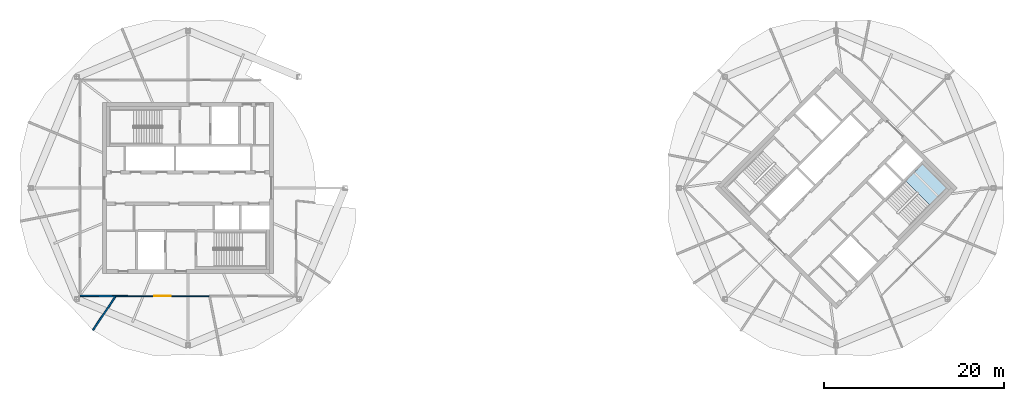
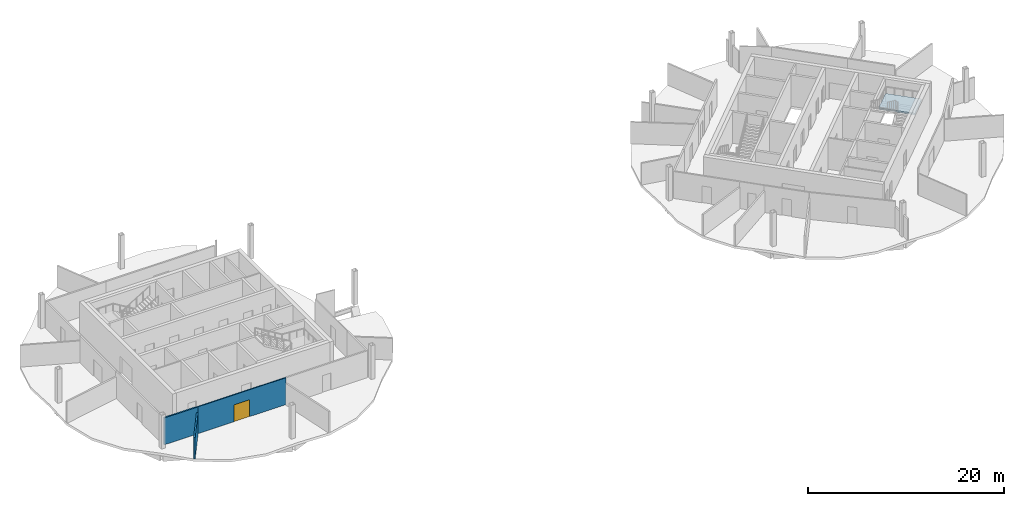
# One storey, part 4 of 11: 3 walls, 1 door, 1 slab, 1 opening, 1 element without a shape of its own.
"""IFC4 building model written with IfcOpenShell, lengths in metres."""

from ifc_helpers import new_model, si_unit, direction, frame, frame_2d, origin, place, context, subcontext, project, spatial, polyline, rectangle, outline, extrude, material, layer, layer_set, type_object, element, fill, aggregate, save


model = new_model("IFC4")

# Units and contexts
model_context = context("Model", 3, precision=1e-05, world=origin(), true_north=direction((0.0, 1.0)))
body_context = subcontext(model_context, "Body", "Model", "MODEL_VIEW")
ifc_project = project(units=[si_unit("LENGTHUNIT", "METRE"), si_unit("AREAUNIT", "SQUARE_METRE"), si_unit("VOLUMEUNIT", "CUBIC_METRE"), si_unit("PLANEANGLEUNIT", "RADIAN"), si_unit("MASSUNIT", "GRAM", prefix="KILO")], contexts=[model_context])

# Site, building, storey
site_placement = place(None, origin())
site = spatial("IfcSite", under=ifc_project, at=site_placement, CompositionType="ELEMENT")
building_placement = place(site_placement, origin())
building = spatial("IfcBuilding", under=site, at=building_placement, Name="Ogive Gate Towers", CompositionType="ELEMENT")
storey_placement = place(building_placement, frame((0.0, 0.0, 281.39990234375)))
storey = spatial("IfcBuildingStorey", under=building, at=storey_placement, Name="L66", CompositionType="ELEMENT", Elevation=281.39990234375)

# Stair, slab
ifc_material_1 = material(Name="Concrete C40/50", Category="concrete")
stair_type = type_object("IfcStairType", Name="Escape stair 1840 wide", PredefinedType="HALF_TURN_STAIR", material=ifc_material_1)
stair_placement = place(storey_placement, origin())
stair = element("IfcStair", 1, at=stair_placement, inside=storey, type_object=stair_type, Name="L66 Escape stair 2", PredefinedType="HALF_TURN_STAIR")
ifc_layer_1 = layer(ifc_material_1, 0.199951171875)
ifc_layer_set_1 = layer_set([ifc_layer_1], Name="Stair landing 200 mm")
slab_type = type_object("IfcSlabType", Name="Stair landing 200 mm", PredefinedType="LANDING", material=ifc_layer_set_1)
slab_placement = place(storey_placement, frame((0.0, 0.0, 1.900146484375)))
slab = element("IfcSlab", 2, at=slab_placement, type_object=slab_type, Name="ST2 landing 1", PredefinedType="LANDING", context=body_context, shape_type="SweptSolid", body=[
    extrude(outline(polyline([(46.413818359375, -1.8896484375), (48.3037109375, 0.0), (45.598876953125, 2.70458984375), (43.709228515625, 0.81494140625), (46.413818359375, -1.8896484375)])), origin(), (0.0, 0.0, 1.0), 0.199951171875),
])
aggregate(stair, [slab])

# Walls
ifc_material_2 = material(Name="Gypsum board acoustic partition")
ifc_layer_2 = layer(ifc_material_2, 0.175048828125)
ifc_layer_set_2 = layer_set([ifc_layer_2], Name="Acoustic partition 175")
wall_type_1 = type_object("IfcWallType", Name="Acoustic partition 175", PredefinedType="PARTITIONING", material=ifc_layer_set_2)
wall_1_placement = place(storey_placement, frame((-46.56884765625, -15.800537109375, 0.0), z_axis=(0.0, 0.0, 1.0), x_axis=(0.555969355527, 0.831202788563, 0.0)))
element("IfcWall", 3, at=wall_1_placement, inside=storey, type_object=wall_type_1, Name="Partition T1-L66-005", PredefinedType="PARTITIONING", context=body_context, shape_type="SweptSolid", body=[
    extrude(rectangle(XDim=4.481201171875, YDim=0.175048828125, at=frame_2d((2.24072265625, 0.0))), origin(), (0.0, 0.0, 1.0), 2.7001953125),
])
wall_2_placement = place(storey_placement, frame((-44.02880859375, -12.0029296875, 0.0), z_axis=(0.0, 0.0, 1.0), x_axis=(-0.9999831328, 0.005808107667, 0.0)))
element("IfcWall", 4, at=wall_2_placement, inside=storey, type_object=wall_type_1, Name="Partition T1-L66-014", PredefinedType="PARTITIONING", context=body_context, shape_type="SweptSolid", body=[
    extrude(rectangle(XDim=3.951171875, YDim=0.175048828125, at=frame_2d((1.9755859375, 0.0))), origin(), (0.0, 0.0, 1.0), 3.35009765625),
])

# Wall, opening, door
ifc_material_3 = material(Name="Gypsum board partition")
ifc_layer_3 = layer(ifc_material_3, 0.125)
ifc_layer_set_3 = layer_set([ifc_layer_3], Name="Partition 125")
wall_type_2 = type_object("IfcWallType", Name="Partition 125", PredefinedType="PARTITIONING", material=ifc_layer_set_3)
wall_3_placement = place(storey_placement, frame((-33.617919921875, -12.006591796875, 0.0), z_axis=(0.0, 0.0, 1.0), x_axis=(-0.999999938133, 0.000351757594, 0.0)))
wall_3 = element("IfcWall", 5, at=wall_3_placement, inside=storey, type_object=wall_type_2, Name="Partition T1-L66-012", PredefinedType="PARTITIONING", context=body_context, shape_type="SweptSolid", body=[
    extrude(rectangle(XDim=10.410888671875, YDim=0.125, at=frame_2d((5.20556640625, 0.0))), origin(), (0.0, 0.0, 1.0), 3.35009765625),
])
opening_placement = place(wall_3_placement, frame((4.304931640625, 0.0, 0.0)))
opening = element("IfcOpeningElement", 6, at=opening_placement, cuts=wall_3, Name="Opening T1-L66-D03", PredefinedType="OPENING", context=body_context, shape_type="SweptSolid", body=[
    extrude(rectangle(XDim=1.800048828125, YDim=2.10009765625, at=frame_2d((0.89990234375, 1.050048828125))), frame((0.0, 0.072509765625, 0.0), z_axis=(0.0, -1.0, 0.0), x_axis=(1.0, 0.0, 0.0)), (0.0, 0.0, 1.0), 0.14501953125),
])
ifc_material_4 = material(Name="Timber door", Category="wood")
door_type = type_object("IfcDoorType", Name="Door pair 1800", OperationType="NOTDEFINED", PredefinedType="DOOR", material=ifc_material_4)
door_placement = place(opening_placement, origin())
door = element("IfcDoor", 7, at=door_placement, inside=storey, type_object=door_type, Name="Door T1-L66-D03", OperationType="DOUBLE_DOOR_DOUBLE_SWING", OverallHeight=2.10009765625, OverallWidth=1.800048828125, PredefinedType="DOOR", context=body_context, shape_type="SweptSolid", body=[
    extrude(rectangle(XDim=1.800048828125, YDim=2.10009765625, at=frame_2d((0.89990234375, 1.050048828125))), frame((0.0, 0.02490234375, 0.0), z_axis=(0.0, -1.0, 0.0), x_axis=(1.0, 0.0, 0.0)), (0.0, 0.0, 1.0), 0.050048828125),
])
fill(opening, door)

save(model, "model.ifc")
